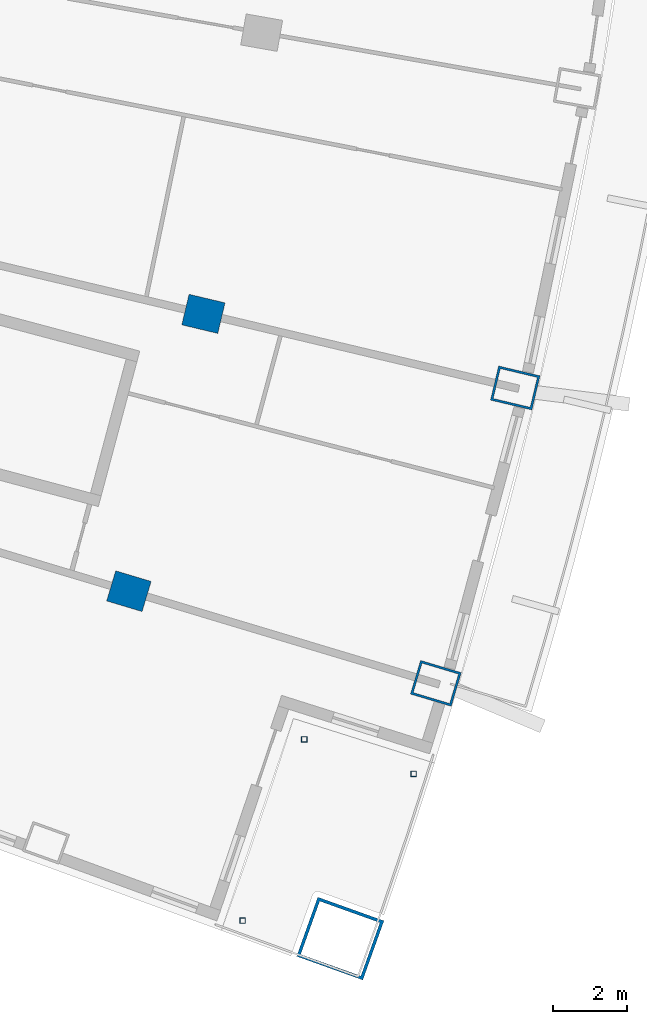
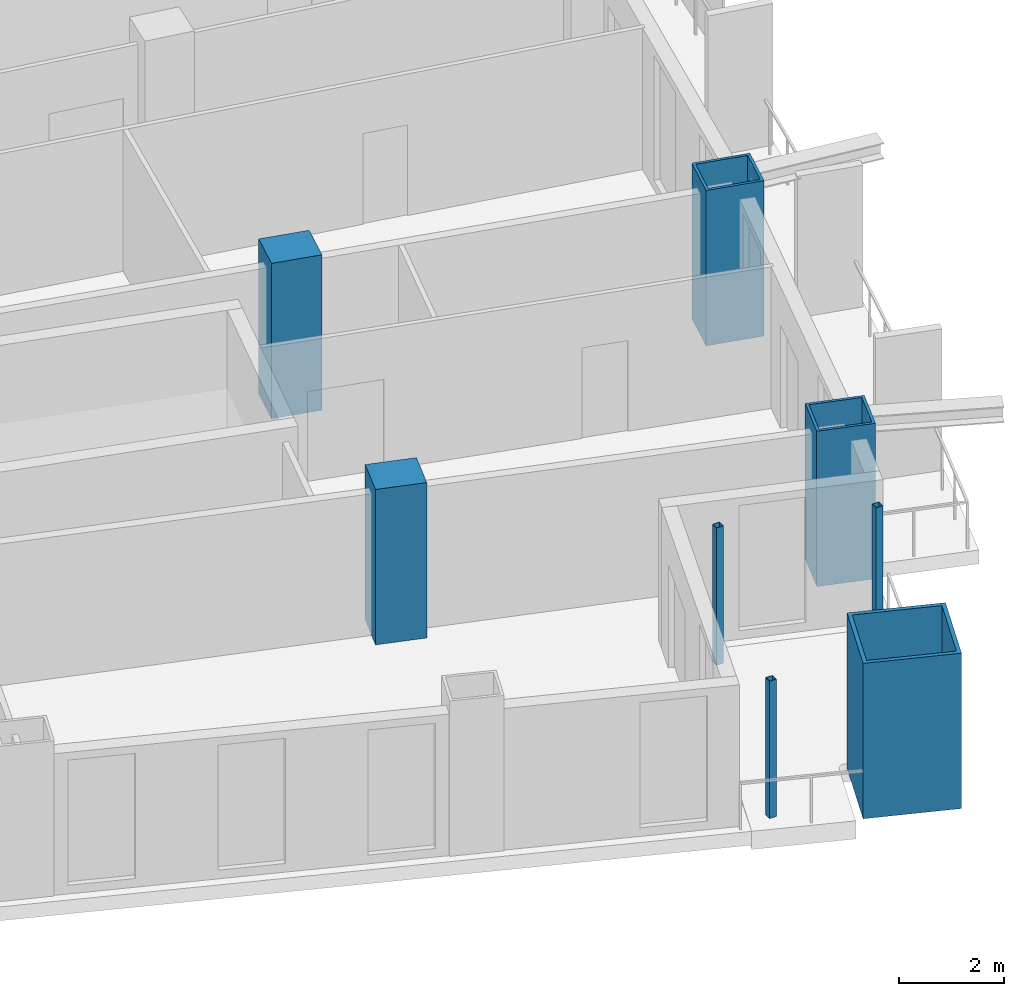
# One storey, part 5 of 25: 8 columns.
"""IFC4 building model written with IfcOpenShell, lengths in metres."""

from ifc_helpers import new_model, si_unit, direction, frame, origin, origin_2d, place, context, subcontext, project, spatial, rectangle, hollow_rectangle, extrude, material, material_profile, profile_set, type_object, element, save


model = new_model("IFC4")

# Units and contexts
model_context = context("Model", 3, precision=1e-05, world=origin(), true_north=direction((0.0, 1.0)))
body_context = subcontext(model_context, "Body", "Model", "MODEL_VIEW")
ifc_project = project(units=[si_unit("LENGTHUNIT", "METRE"), si_unit("AREAUNIT", "SQUARE_METRE"), si_unit("VOLUMEUNIT", "CUBIC_METRE"), si_unit("PLANEANGLEUNIT", "RADIAN"), si_unit("MASSUNIT", "GRAM", prefix="KILO")], contexts=[model_context])

# Site, building, storey
site_placement = place(None, origin())
site = spatial("IfcSite", under=ifc_project, at=site_placement, CompositionType="ELEMENT")
building_placement = place(site_placement, origin())
building = spatial("IfcBuilding", under=site, at=building_placement, Name="Alderwake Tower", CompositionType="ELEMENT")
storey_placement = place(building_placement, frame((0.0, 0.0, 86.0)))
storey = spatial("IfcBuildingStorey", under=building, at=storey_placement, Name="L20", CompositionType="ELEMENT", Elevation=86.0)

# Columns
ifc_material_1 = material(Name="Concrete C70/85", Category="concrete")
ifc_material_profile_1 = material_profile(ifc_material_1, rectangle(XDim=0.85009765625, YDim=1.0, at=origin_2d()), Name="RC 1000X850")
ifc_profile_set_1 = profile_set([ifc_material_profile_1], Name="Concrete C70/85")
column_type_1 = type_object("IfcColumnType", Name="Interior column Z2", PredefinedType="COLUMN", material=ifc_profile_set_1)
for number, where, z_axis, x_axis, name in (
    (1, (47.510498046875, 22.7177734375, 0.0), (0.0, 0.0, 1.0), (0.287549418125, 0.957765802342, 0.0), "Column R02-C4"),
    (2, (49.525390625, 30.216796875, 0.0), (0.0, 0.0, 1.0), (0.231221547198, 0.972901123502, 0.0), "Column R03-C4"),
):
    element("IfcColumn", number, at=place(storey_placement, frame(where, z_axis=z_axis, x_axis=x_axis)), inside=storey, type_object=column_type_1, Name=name, PredefinedType="COLUMN", context=body_context, shape_type="SweptSolid", body=[
        extrude(rectangle(XDim=0.85009765625, YDim=1.0, at=origin_2d()), origin(), (0.0, 0.0, 1.0), 3.60009765625),
    ])
ifc_material_2 = material(Name="Steel ASTM A500 Grade C", Category="steel")
ifc_material_profile_2 = material_profile(ifc_material_2, hollow_rectangle(XDim=0.15234375, YDim=0.15234375, WallThickness=0.0087890625, at=origin_2d()), Name="HSS6X6X3/8")
ifc_profile_set_2 = profile_set([ifc_material_profile_2], Name="Steel ASTM A500 Grade C")
column_type_2 = type_object("IfcColumnType", Name="Light post HSS6X6X3/8", PredefinedType="COLUMN", material=ifc_profile_set_2)
for number, where, z_axis, x_axis, name in (
    (3, (55.208740234375, 17.775390625, 0.0), (0.0, 0.0, 1.0), (1.0, 0.0, 0.0), "Terrace post FS1"),
    (4, (50.58544921875, 13.8115234375, 0.0), (0.0, 0.0, 1.0), (1.0, 0.0, 0.0), "Terrace post FS2"),
    (5, (52.253173828125, 18.7099609375, 0.0), (0.0, 0.0, 1.0), (1.0, 0.0, 0.0), "Terrace post FS3"),
):
    element("IfcColumn", number, at=place(storey_placement, frame(where, z_axis=z_axis, x_axis=x_axis)), inside=storey, type_object=column_type_2, Name=name, PredefinedType="COLUMN", context=body_context, shape_type="SweptSolid", body=[
        extrude(hollow_rectangle(XDim=0.15234375, YDim=0.15234375, WallThickness=0.0087890625, at=origin_2d()), origin(), (0.0, 0.0, 1.0), 3.179931640625),
    ])
ifc_material_3 = material(Name="Steel ASTM A572 Grade 50 concrete filled C70/85", Category="concrete")
ifc_material_profile_3 = material_profile(ifc_material_3, hollow_rectangle(XDim=1.699951171875, YDim=1.89990234375, WallThickness=0.0849609375, at=origin_2d()), Name="BOX 1900X1700X85")
ifc_profile_set_3 = profile_set([ifc_material_profile_3], Name="Steel ASTM A572 Grade 50 concrete filled C70/85")
column_type_3 = type_object("IfcColumnType", Name="Mega column Z2", PredefinedType="COLUMN", material=ifc_profile_set_3)
column_placement = place(storey_placement, frame((53.2265625, 13.32470703125, 0.0), z_axis=(0.0, 0.0, 1.0), x_axis=(0.336929292402, 0.941529952748, 0.0)))
element("IfcColumn", 6, at=column_placement, inside=storey, type_object=column_type_3, Name="Column R01-C5", PredefinedType="COLUMN", context=body_context, shape_type="SweptSolid", body=[
    extrude(hollow_rectangle(XDim=1.699951171875, YDim=1.89990234375, WallThickness=0.0849609375, at=origin_2d()), origin(), (0.0, 0.0, 1.0), 3.60009765625),
])
ifc_material_4 = material(Name="Steel ASTM A572 Grade 50 concrete filled C70/85", Category="concrete")
ifc_material_profile_4 = material_profile(ifc_material_4, hollow_rectangle(XDim=0.949951171875, YDim=1.14990234375, WallThickness=0.06005859375, at=origin_2d()), Name="BOX 1150X950X60")
ifc_profile_set_4 = profile_set([ifc_material_profile_4], Name="Steel ASTM A572 Grade 50 concrete filled C70/85")
column_type_4 = type_object("IfcColumnType", Name="Perimeter column Z2", PredefinedType="COLUMN", material=ifc_profile_set_4)
for number, where, z_axis, x_axis, name in (
    (7, (55.811279296875, 20.2255859375, 0.0), (0.0, 0.0, 1.0), (0.287549418125, 0.957765802342, 0.0), "Column R02-C5"),
    (8, (57.95751953125, 28.212646484375, 0.0), (0.0, 0.0, 1.0), (0.231221547198, 0.972901123502, 0.0), "Column R03-C5"),
):
    element("IfcColumn", number, at=place(storey_placement, frame(where, z_axis=z_axis, x_axis=x_axis)), inside=storey, type_object=column_type_4, Name=name, PredefinedType="COLUMN", context=body_context, shape_type="SweptSolid", body=[
        extrude(hollow_rectangle(XDim=0.949951171875, YDim=1.14990234375, WallThickness=0.06005859375, at=origin_2d()), origin(), (0.0, 0.0, 1.0), 3.60009765625),
    ])

save(model, "model.ifc")
